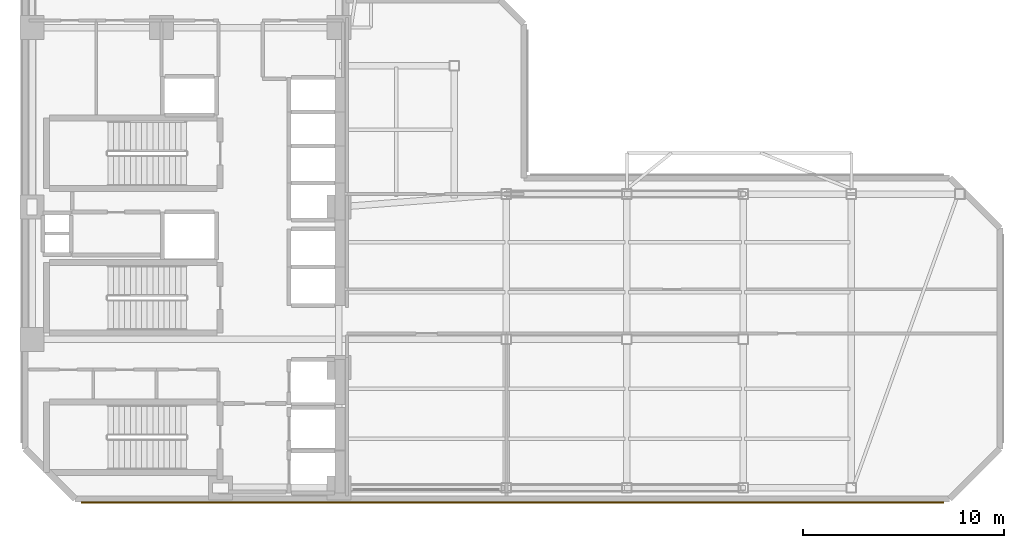
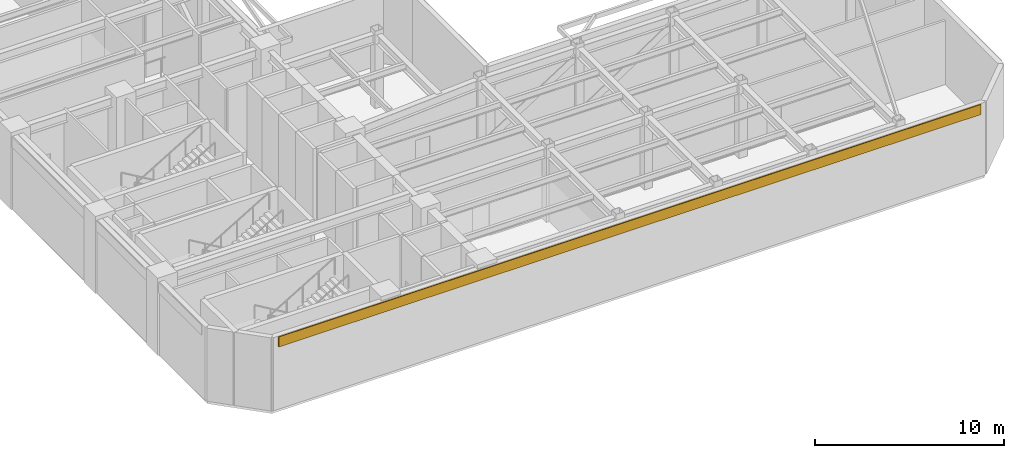
# One storey, part 7 of 9: 1 covering.
"""IFC4 building model written with IfcOpenShell, lengths in metres."""

from ifc_helpers import new_model, si_unit, direction, frame, origin, origin_2d, place, context, subcontext, project, spatial, rectangle, extrude, material, layer, layer_set, type_object, element, save


model = new_model("IFC4")

# Units and contexts
model_context = context("Model", 3, precision=1e-05, world=origin(), true_north=direction((0.0, 1.0)))
body_context = subcontext(model_context, "Body", "Model", "MODEL_VIEW")
ifc_project = project(units=[si_unit("LENGTHUNIT", "METRE"), si_unit("AREAUNIT", "SQUARE_METRE"), si_unit("VOLUMEUNIT", "CUBIC_METRE"), si_unit("PLANEANGLEUNIT", "RADIAN"), si_unit("MASSUNIT", "GRAM", prefix="KILO")], contexts=[model_context])

# Site, building, storey
site_placement = place(None, origin())
site = spatial("IfcSite", under=ifc_project, at=site_placement, CompositionType="ELEMENT")
building_placement = place(site_placement, origin())
building = spatial("IfcBuilding", under=site, at=building_placement, Name="Mawjaban Terraces University", CompositionType="ELEMENT")
storey_placement = place(building_placement, frame((0.0, 0.0, 165.800048828125)))
storey = spatial("IfcBuildingStorey", under=building, at=storey_placement, Name="L40", CompositionType="ELEMENT", Elevation=165.800048828125)

# Covering
ifc_material = material(Name="Glazed architectural terracotta rainscreen", Category="masonry")
ifc_layer = layer(ifc_material, 0.06005859375)
ifc_layer_set = layer_set([ifc_layer], Name="Glazed architectural terracotta rainscreen")
covering_type = type_object("IfcCoveringType", Name="TerracottaSpandrelCladding_60", PredefinedType="CLADDING", material=ifc_layer_set)
covering_placement = place(storey_placement, frame((46.300048828125, -0.175048828125, 4.06494140625), z_axis=(0.0, 0.0, 1.0), x_axis=(1.0, 0.0, 0.0)))
element("IfcCovering", 1, at=covering_placement, inside=storey, type_object=covering_type, Name="L40 Terracotta Spandrel Cladding 1", PredefinedType="CLADDING", context=body_context, shape_type="SweptSolid", body=[
    extrude(rectangle(XDim=43.0, YDim=0.06005859375, at=origin_2d()), origin(), (0.0, 0.0, 1.0), 0.64990234375),
])

save(model, "model.ifc")
